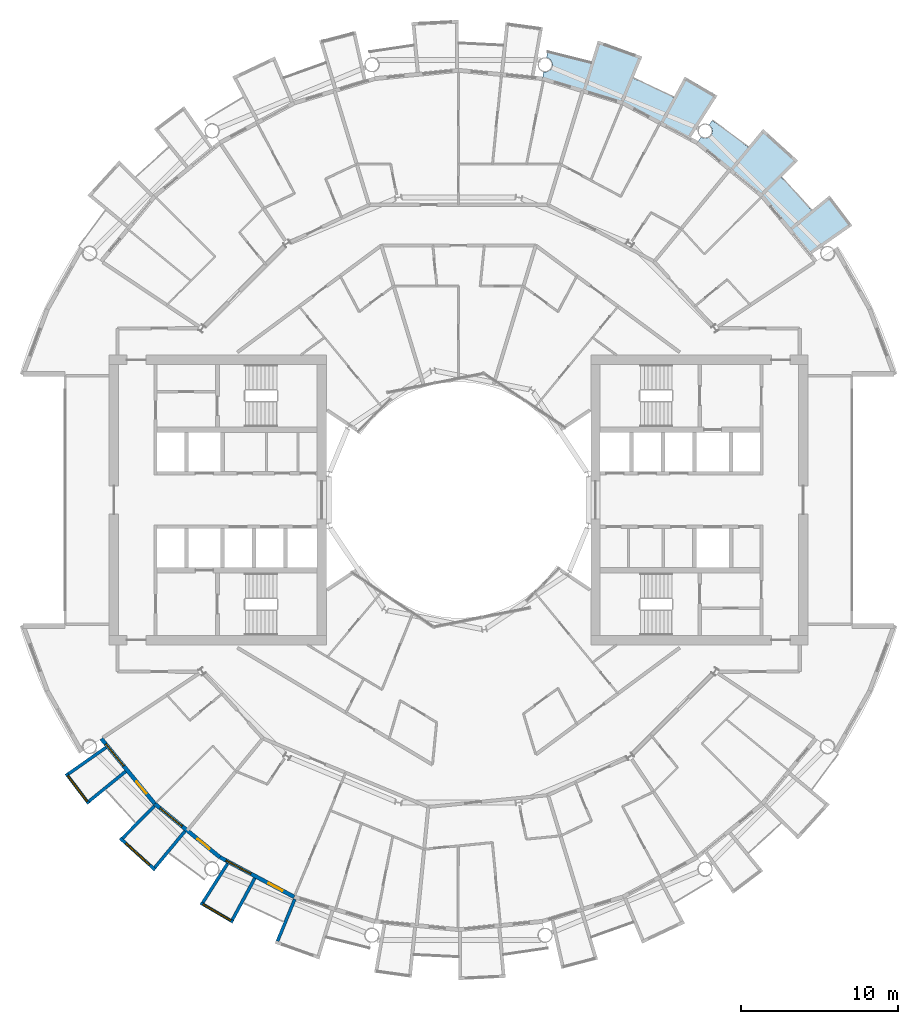
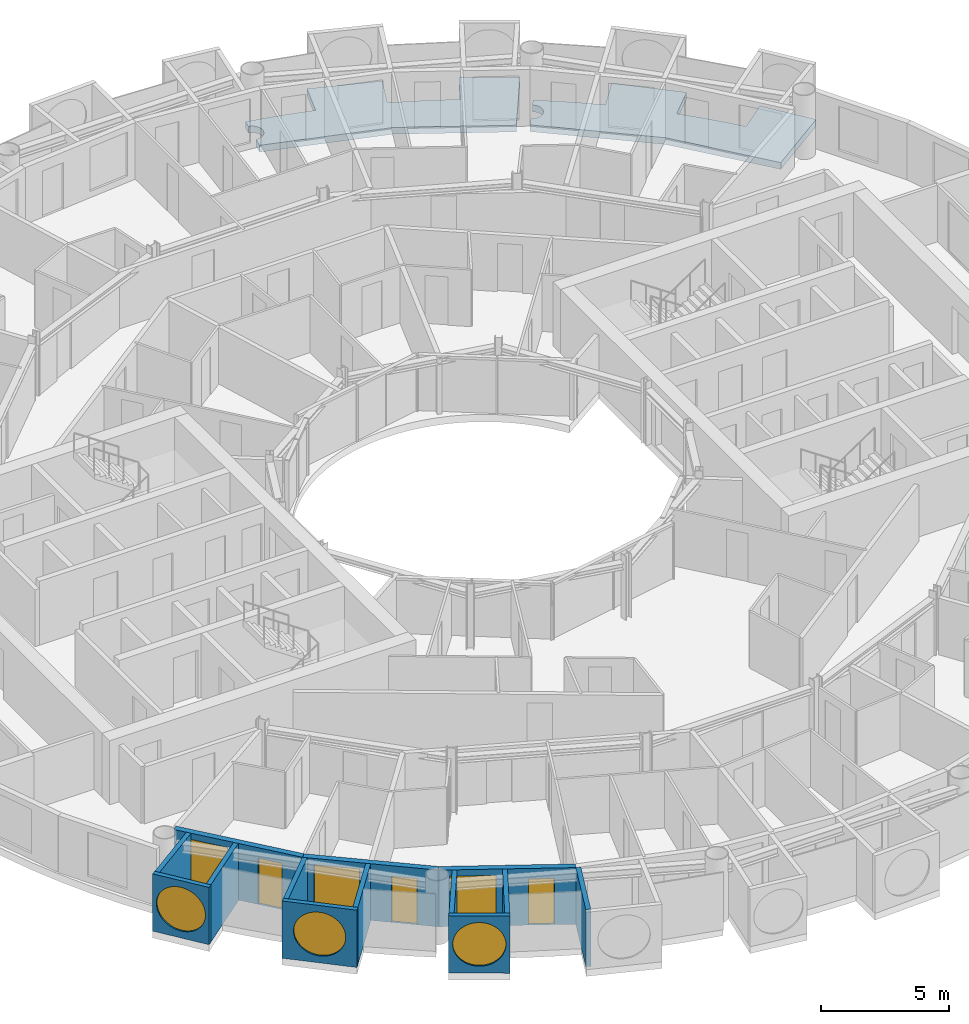
# One storey, part 13 of 27: 13 walls, 6 windows, 3 doors, 2 slabs, 9 openings.
"""IFC4 building model written with IfcOpenShell, lengths in metres."""

from ifc_helpers import new_model, si_unit, direction, frame, frame_2d, origin, place, context, subcontext, project, spatial, polyline, rectangle, circle, outline, extrude, material, layer, layer_set, type_object, element, fill, save


model = new_model("IFC4")

# Units and contexts
model_context = context("Model", 3, precision=1e-05, world=origin(), true_north=direction((0.0, 1.0)))
body_context = subcontext(model_context, "Body", "Model", "MODEL_VIEW")
ifc_project = project(units=[si_unit("LENGTHUNIT", "METRE"), si_unit("AREAUNIT", "SQUARE_METRE"), si_unit("VOLUMEUNIT", "CUBIC_METRE"), si_unit("PLANEANGLEUNIT", "RADIAN"), si_unit("MASSUNIT", "GRAM", prefix="KILO")], contexts=[model_context])

# Site, building, storey
site_placement = place(None, origin())
site = spatial("IfcSite", under=ifc_project, at=site_placement, CompositionType="ELEMENT")
building_placement = place(site_placement, origin())
building = spatial("IfcBuilding", under=site, at=building_placement, Name="Maasbend Ring Residences", CompositionType="ELEMENT")
storey_placement = place(building_placement, frame((0.0, 0.0, 117.75)))
storey = spatial("IfcBuildingStorey", under=building, at=storey_placement, Name="L33", CompositionType="ELEMENT", Elevation=117.75)

# Slabs
ifc_material_1 = material(Name="Concrete C40/50", Category="concrete")
ifc_layer_1 = layer(ifc_material_1, 0.199951171875)
ifc_layer_set_1 = layer_set([ifc_layer_1], Name="Concrete C40/50")
slab_type = type_object("IfcSlabType", Name="SL-LOGGIA", PredefinedType="FLOOR", material=ifc_layer_set_1)
slab_1_placement = place(storey_placement, frame((0.0, 0.0, -0.35009765625)))
element("IfcSlab", 1, at=slab_1_placement, inside=storey, type_object=slab_type, Name="Loggia floor 2", PredefinedType="FLOOR", context=body_context, shape_type="SweptSolid", body=[
    extrude(outline(polyline([(5.446044921875, 27.205078125), (5.45703125, 27.202880859375), (5.468017578125, 27.201904296875), (5.47900390625, 27.201904296875), (5.489990234375, 27.200927734375), (5.501953125, 27.200927734375), (5.512939453125, 27.200927734375), (5.52392578125, 27.201904296875), (5.534912109375, 27.201904296875), (5.5458984375, 27.202880859375), (5.556884765625, 27.205078125), (5.569091796875, 27.2060546875), (5.580078125, 27.2080078125), (5.591064453125, 27.2099609375), (5.60205078125, 27.2119140625), (5.613037109375, 27.215087890625), (5.623046875, 27.218017578125), (5.634033203125, 27.220947265625), (5.64501953125, 27.22412109375), (5.655029296875, 27.22802734375), (5.666015625, 27.23193359375), (5.676025390625, 27.236083984375), (5.68701171875, 27.239990234375), (5.697021484375, 27.2451171875), (5.70703125, 27.25), (5.717041015625, 27.2548828125), (5.72705078125, 27.260009765625), (5.736083984375, 27.26611328125), (5.74609375, 27.27197265625), (5.7548828125, 27.278076171875), (5.764892578125, 27.283935546875), (5.77392578125, 27.291015625), (5.782958984375, 27.298095703125), (5.791015625, 27.304931640625), (5.800048828125, 27.31201171875), (5.80810546875, 27.319091796875), (5.81689453125, 27.326904296875), (5.824951171875, 27.3349609375), (5.83203125, 27.343017578125), (5.840087890625, 27.35107421875), (5.847900390625, 27.360107421875), (5.85498046875, 27.367919921875), (5.862060546875, 27.376953125), (5.868896484375, 27.385986328125), (5.875, 27.39501953125), (5.881103515625, 27.404052734375), (5.887939453125, 27.4140625), (5.89306640625, 27.423095703125), (5.89892578125, 27.43310546875), (5.905029296875, 27.443115234375), (5.909912109375, 27.452880859375), (5.9150390625, 27.462890625), (5.9189453125, 27.472900390625), (5.924072265625, 27.48291015625), (5.927978515625, 27.493896484375), (5.931884765625, 27.50390625), (5.93505859375, 27.514892578125), (5.93896484375, 27.52490234375), (5.94189453125, 27.535888671875), (5.945068359375, 27.547119140625), (5.947021484375, 27.55810546875), (5.949951171875, 27.569091796875), (5.951904296875, 27.580078125), (5.9541015625, 27.591064453125), (5.955078125, 27.60205078125), (5.9560546875, 27.613037109375), (5.95703125, 27.6240234375), (5.9580078125, 27.635986328125), (5.9580078125, 27.64697265625), (5.9580078125, 27.657958984375), (5.9580078125, 27.6689453125), (5.9580078125, 27.680908203125), (5.95703125, 27.69189453125), (5.9560546875, 27.702880859375), (5.955078125, 27.714111328125), (5.9541015625, 27.72509765625), (5.951904296875, 27.736083984375), (5.949951171875, 27.7470703125), (5.947021484375, 27.758056640625), (5.945068359375, 27.76904296875), (5.94189453125, 27.780029296875), (5.93896484375, 27.791015625), (5.93505859375, 27.801025390625), (5.931884765625, 27.81201171875), (5.927978515625, 27.822998046875), (5.924072265625, 27.8330078125), (5.9189453125, 27.843017578125), (5.9150390625, 27.85302734375), (5.909912109375, 27.864013671875), (5.905029296875, 27.8740234375), (5.89892578125, 27.883056640625), (5.89306640625, 27.89306640625), (5.887939453125, 27.903076171875), (5.881103515625, 27.912109375), (5.875, 27.9208984375), (5.868896484375, 27.929931640625), (5.862060546875, 27.93896484375), (5.85498046875, 27.947998046875), (5.847900390625, 27.95703125), (5.840087890625, 27.965087890625), (5.83203125, 27.972900390625), (5.824951171875, 27.98095703125), (5.81689453125, 27.989013671875), (5.80810546875, 27.9970703125), (5.800048828125, 28.00390625), (5.791015625, 28.010986328125), (5.782958984375, 28.01806640625), (5.77392578125, 28.02490234375), (5.764892578125, 28.031982421875), (5.7548828125, 28.0380859375), (5.74609375, 28.0439453125), (5.736083984375, 28.050048828125), (5.72705078125, 28.055908203125), (5.717041015625, 28.06103515625), (5.70703125, 28.06591796875), (5.697021484375, 28.071044921875), (5.68701171875, 28.075927734375), (5.676025390625, 28.080078125), (5.666015625, 28.083984375), (5.655029296875, 28.087890625), (5.64501953125, 28.092041015625), (5.634033203125, 28.094970703125), (5.623046875, 28.09912109375), (5.613037109375, 28.10107421875), (5.60205078125, 28.10400390625), (5.591064453125, 28.10595703125), (5.657958984375, 28.443115234375), (5.657958984375, 28.443115234375), (5.657958984375, 28.443115234375), (6.5849609375, 28.241943359375), (6.5849609375, 28.241943359375), (7.506103515625, 28.011962890625), (7.506103515625, 28.011962890625), (8.41796875, 27.7509765625), (8.41796875, 27.7509765625), (8.41796875, 27.7509765625), (8.41796875, 27.7509765625), (8.41796875, 27.7509765625), (8.41796875, 27.7509765625), (8.41796875, 27.7509765625), (8.41796875, 27.7509765625), (8.41796875, 27.7509765625), (8.41796875, 27.7509765625), (8.41796875, 27.751953125), (8.41796875, 27.751953125), (8.41796875, 27.751953125), (8.41796875, 27.751953125), (8.41796875, 27.751953125), (8.41796875, 27.751953125), (8.41796875, 27.751953125), (8.85400390625, 29.18701171875), (8.85400390625, 29.18701171875), (8.85400390625, 29.18701171875), (11.672119140625, 28.177978515625), (11.672119140625, 28.177978515625), (11.672119140625, 28.177978515625), (11.097900390625, 26.79296875), (11.097900390625, 26.79296875), (11.097900390625, 26.79296875), (11.097900390625, 26.79296875), (11.097900390625, 26.79296875), (11.097900390625, 26.79296875), (11.097900390625, 26.79296875), (11.097900390625, 26.79296875), (11.097900390625, 26.79296875), (11.097900390625, 26.79296875), (11.097900390625, 26.7919921875), (11.097900390625, 26.7919921875), (11.097900390625, 26.7919921875), (11.097900390625, 26.7919921875), (11.097900390625, 26.7919921875), (11.097900390625, 26.7919921875), (11.097900390625, 26.7919921875), (11.968994140625, 26.4150390625), (11.968994140625, 26.4150390625), (12.825927734375, 26.009033203125), (12.825927734375, 26.009033203125), (13.669921875, 25.575927734375), (13.669921875, 25.575927734375), (13.669921875, 25.575927734375), (13.669921875, 25.575927734375), (13.669921875, 25.575927734375), (13.669921875, 25.575927734375), (13.669921875, 25.575927734375), (13.669921875, 25.575927734375), (13.669921875, 25.575927734375), (13.669921875, 25.575927734375), (13.6708984375, 25.575927734375), (13.6708984375, 25.575927734375), (13.6708984375, 25.575927734375), (13.6708984375, 25.575927734375), (13.6708984375, 25.575927734375), (13.6708984375, 25.575927734375), (13.6708984375, 25.575927734375), (14.3779296875, 26.89892578125), (14.3779296875, 26.89892578125), (14.3779296875, 26.89892578125), (16.44091796875, 25.68994140625), (16.44091796875, 25.68994140625), (16.44091796875, 25.68994140625), (14.68994140625, 22.9541015625), (14.68994140625, 22.9541015625), (14.68994140625, 22.9541015625), (12.806884765625, 23.9609375), (10.447021484375, 25.221923828125), (10.447021484375, 25.221923828125), (10.447021484375, 25.221923828125), (7.886962890625, 25.9990234375), (5.325927734375, 26.77490234375), (5.325927734375, 26.77490234375), (5.325927734375, 26.77490234375), (5.412109375, 27.2099609375), (5.423095703125, 27.2080078125), (5.43408203125, 27.2060546875), (5.446044921875, 27.205078125)])), origin(), (0.0, 0.0, 1.0), 0.320068359375),
])
slab_2_placement = place(storey_placement, frame((0.0, 0.0, -0.35009765625)))
element("IfcSlab", 2, at=slab_2_placement, inside=storey, type_object=slab_type, Name="Loggia floor 5", PredefinedType="FLOOR", context=body_context, shape_type="SweptSolid", body=[
    extrude(outline(polyline([(15.431884765625, 23.054931640625), (15.44189453125, 23.050048828125), (15.451904296875, 23.0439453125), (15.4619140625, 23.0390625), (15.471923828125, 23.033935546875), (15.48193359375, 23.030029296875), (15.491943359375, 23.02490234375), (15.5029296875, 23.02099609375), (15.512939453125, 23.01708984375), (15.52392578125, 23.012939453125), (15.533935546875, 23.010009765625), (15.544921875, 23.007080078125), (15.555908203125, 23.00390625), (15.56689453125, 23.001953125), (15.577880859375, 22.9990234375), (15.589111328125, 22.9970703125), (15.60009765625, 22.9951171875), (15.611083984375, 22.993896484375), (15.6220703125, 22.992919921875), (15.633056640625, 22.991943359375), (15.64501953125, 22.990966796875), (15.656005859375, 22.990966796875), (15.6669921875, 22.989990234375), (15.677978515625, 22.990966796875), (15.68994140625, 22.990966796875), (15.700927734375, 22.991943359375), (15.7119140625, 22.992919921875), (15.722900390625, 22.993896484375), (15.73388671875, 22.9951171875), (15.7451171875, 22.9970703125), (15.756103515625, 22.9990234375), (15.76708984375, 23.001953125), (15.778076171875, 23.00390625), (15.7890625, 23.007080078125), (15.800048828125, 23.010009765625), (15.81005859375, 23.012939453125), (15.821044921875, 23.01708984375), (15.83203125, 23.02099609375), (15.842041015625, 23.02490234375), (15.85205078125, 23.030029296875), (15.862060546875, 23.033935546875), (15.873046875, 23.0390625), (15.883056640625, 23.0439453125), (15.89208984375, 23.050048828125), (15.902099609375, 23.054931640625), (15.912109375, 23.06103515625), (15.9208984375, 23.06689453125), (15.929931640625, 23.073974609375), (15.93896484375, 23.080078125), (15.947998046875, 23.0869140625), (15.95703125, 23.093994140625), (15.966064453125, 23.10107421875), (15.97412109375, 23.10888671875), (15.98193359375, 23.115966796875), (15.989990234375, 23.1240234375), (15.998046875, 23.132080078125), (16.006103515625, 23.139892578125), (16.012939453125, 23.14892578125), (16.02001953125, 23.156982421875), (16.027099609375, 23.166015625), (16.033935546875, 23.175048828125), (16.041015625, 23.18408203125), (16.047119140625, 23.194091796875), (16.052978515625, 23.202880859375), (16.05908203125, 23.2119140625), (16.06494140625, 23.221923828125), (16.070068359375, 23.23193359375), (16.074951171875, 23.241943359375), (16.080078125, 23.251953125), (16.0849609375, 23.261962890625), (16.089111328125, 23.27294921875), (16.093017578125, 23.282958984375), (16.096923828125, 23.29296875), (16.10107421875, 23.303955078125), (16.10400390625, 23.31494140625), (16.10791015625, 23.325927734375), (16.110107421875, 23.3359375), (16.113037109375, 23.346923828125), (16.114990234375, 23.35791015625), (16.116943359375, 23.368896484375), (16.118896484375, 23.3798828125), (16.12109375, 23.39111328125), (16.1220703125, 23.403076171875), (16.123046875, 23.4140625), (16.1240234375, 23.425048828125), (16.1240234375, 23.43603515625), (16.1240234375, 23.447021484375), (16.1240234375, 23.458984375), (16.1240234375, 23.469970703125), (16.123046875, 23.48095703125), (16.1220703125, 23.491943359375), (16.12109375, 23.5029296875), (16.118896484375, 23.513916015625), (16.116943359375, 23.52587890625), (16.114990234375, 23.537109375), (16.113037109375, 23.548095703125), (16.110107421875, 23.55810546875), (16.10791015625, 23.569091796875), (16.10400390625, 23.580078125), (16.10107421875, 23.591064453125), (16.096923828125, 23.60107421875), (16.093017578125, 23.612060546875), (16.089111328125, 23.6220703125), (16.0849609375, 23.633056640625), (16.080078125, 23.64306640625), (16.074951171875, 23.653076171875), (16.070068359375, 23.6630859375), (16.06494140625, 23.673095703125), (16.05908203125, 23.681884765625), (16.052978515625, 23.69189453125), (16.047119140625, 23.700927734375), (16.041015625, 23.7109375), (16.033935546875, 23.719970703125), (16.027099609375, 23.72900390625), (16.02001953125, 23.737060546875), (16.012939453125, 23.74609375), (16.006103515625, 23.75390625), (15.998046875, 23.762939453125), (15.989990234375, 23.77099609375), (15.98193359375, 23.778076171875), (15.97412109375, 23.785888671875), (15.966064453125, 23.79296875), (15.95703125, 23.801025390625), (15.947998046875, 23.80810546875), (15.93896484375, 23.81396484375), (15.929931640625, 23.821044921875), (15.9208984375, 23.826904296875), (15.9208984375, 23.826904296875), (16.112060546875, 24.113037109375), (16.112060546875, 24.113037109375), (16.112060546875, 24.113037109375), (16.89208984375, 23.572998046875), (16.89208984375, 23.572998046875), (17.654052734375, 23.007080078125), (17.654052734375, 23.007080078125), (18.39697265625, 22.41796875), (18.39697265625, 22.41796875), (18.39697265625, 22.41796875), (18.39697265625, 22.41796875), (18.39697265625, 22.41796875), (18.39697265625, 22.41796875), (18.39697265625, 22.41796875), (18.39697265625, 22.41796875), (18.39697265625, 22.41796875), (18.39697265625, 22.41796875), (18.39697265625, 22.41796875), (18.39794921875, 22.41796875), (18.39794921875, 22.41796875), (18.39794921875, 22.41796875), (18.39794921875, 22.41796875), (18.39794921875, 22.41796875), (18.39794921875, 22.41796875), (19.34912109375, 23.576904296875), (19.34912109375, 23.576904296875), (19.34912109375, 23.576904296875), (21.56689453125, 21.56689453125), (21.56689453125, 21.56689453125), (21.56689453125, 21.56689453125), (20.506103515625, 20.506103515625), (20.506103515625, 20.506103515625), (20.506103515625, 20.506103515625), (20.506103515625, 20.506103515625), (20.506103515625, 20.506103515625), (20.506103515625, 20.506103515625), (20.506103515625, 20.506103515625), (20.506103515625, 20.506103515625), (20.506103515625, 20.506103515625), (20.506103515625, 20.506103515625), (20.506103515625, 20.506103515625), (20.506103515625, 20.506103515625), (20.506103515625, 20.506103515625), (20.506103515625, 20.506103515625), (20.506103515625, 20.506103515625), (20.506103515625, 20.506103515625), (20.506103515625, 20.506103515625), (21.166015625, 19.823974609375), (21.166015625, 19.823974609375), (21.802978515625, 19.12109375), (21.802978515625, 19.12109375), (22.4169921875, 18.39794921875), (22.4169921875, 18.39794921875), (22.4169921875, 18.39794921875), (22.4169921875, 18.39794921875), (22.4169921875, 18.39794921875), (22.4169921875, 18.39794921875), (22.4169921875, 18.39794921875), (22.4169921875, 18.39794921875), (22.4169921875, 18.39794921875), (22.4169921875, 18.39794921875), (22.4169921875, 18.39794921875), (22.4169921875, 18.39794921875), (22.41796875, 18.39794921875), (22.41796875, 18.39794921875), (22.41796875, 18.39794921875), (22.41796875, 18.39794921875), (22.41796875, 18.39794921875), (23.576904296875, 19.34912109375), (23.576904296875, 19.34912109375), (23.576904296875, 19.34912109375), (25.02001953125, 17.44189453125), (25.02001953125, 17.44189453125), (25.02001953125, 17.44189453125), (22.35595703125, 15.5849609375), (22.35595703125, 15.5849609375), (22.35595703125, 15.5849609375), (21.001953125, 17.236083984375), (19.303955078125, 19.303955078125), (19.303955078125, 19.303955078125), (19.303955078125, 19.303955078125), (17.236083984375, 21.001953125), (15.1669921875, 22.698974609375), (15.1669921875, 22.698974609375), (15.1669921875, 22.698974609375), (15.4130859375, 23.06689453125), (15.4130859375, 23.06689453125), (15.423095703125, 23.06103515625), (15.431884765625, 23.054931640625)])), origin(), (0.0, 0.0, 1.0), 0.320068359375),
])

# Wall, opening, window
ifc_material_2 = material(Name="Pale anodised aluminium panel", Category="aluminium")
ifc_layer_2 = layer(ifc_material_2, 0.199951171875)
ifc_layer_set_2 = layer_set([ifc_layer_2], Name="EW-BOX")
wall_type_1 = type_object("IfcWallType", Name="EW-BOX", PredefinedType="SOLIDWALL", material=ifc_layer_set_2)
wall_1_placement = place(storey_placement, frame((-24.93994140625, -17.382080078125, -0.030029296875), z_axis=(0.0, 0.0, 1.0), x_axis=(0.603375996329, -0.797456837111, 0.0)))
wall_1 = element("IfcWall", 3, at=wall_1_placement, inside=storey, type_object=wall_type_1, Name="Box front S01", PredefinedType="SOLIDWALL", context=body_context, shape_type="SweptSolid", body=[
    extrude(rectangle(XDim=2.391357421875, YDim=0.199951171875, at=frame_2d((1.19580078125, 0.0))), origin(), (0.0, 0.0, 1.0), 2.72998046875),
])
opening_1_placement = place(wall_1_placement, frame((0.15576171875, 0.0, 0.330078125)))
opening_1 = element("IfcOpeningElement", 4, at=opening_1_placement, cuts=wall_1, Name="Opening W-RD", PredefinedType="OPENING", context=body_context, shape_type="SweptSolid", body=[
    extrude(circle(Radius=1.0400390625, at=frame_2d((1.0400390625, 1.0400390625))), frame((0.0, 0.10986328125, 0.0), z_axis=(0.0, -1.0, 0.0), x_axis=(1.0, 0.0, 0.0)), (0.0, 0.0, 1.0), 0.219970703125),
])
ifc_material_3 = material(Name="Aluminium and clear glass", Category="aluminium")
window_type_1 = type_object("IfcWindowType", Name="W-RD", PartitioningType="SINGLE_PANEL", PredefinedType="WINDOW", material=ifc_material_3)
window_1_placement = place(opening_1_placement, origin())
window_1 = element("IfcWindow", 5, at=window_1_placement, inside=storey, type_object=window_type_1, Name="Round window S01", OverallHeight=2.080078125, OverallWidth=2.080078125, PartitioningType="SINGLE_PANEL", PredefinedType="WINDOW", context=body_context, shape_type="SweptSolid", body=[
    extrude(circle(Radius=1.0400390625, at=frame_2d((1.0400390625, 1.0400390625))), frame((0.0, 0.030029296875, 0.0), z_axis=(0.0, -1.0, 0.0), x_axis=(1.0, 0.0, 0.0)), (0.0, 0.0, 1.0), 0.06005859375),
])
fill(opening_1, window_1)

# Walls
wall_2_placement = place(storey_placement, frame((-22.402099609375, -15.72607421875, -0.030029296875), z_axis=(0.0, 0.0, 1.0), x_axis=(-0.818275399393, -0.574826383135, 0.0)))
element("IfcWall", 6, at=wall_2_placement, inside=storey, type_object=wall_type_1, Name="Box side wall S01 left", PredefinedType="SOLIDWALL", context=body_context, shape_type="SweptSolid", body=[
    extrude(rectangle(XDim=2.92919921875, YDim=0.199951171875, at=frame_2d((1.464599609375, 0.0))), origin(), (0.0, 0.0, 1.0), 2.72998046875),
])
wall_3_placement = place(storey_placement, frame((-21.155029296875, -17.24609375, -0.030029296875), z_axis=(0.0, 0.0, 1.0), x_axis=(-0.775179004516, -0.631741648902, 0.0)))
element("IfcWall", 7, at=wall_3_placement, inside=storey, type_object=wall_type_1, Name="Box side wall S01 right", PredefinedType="SOLIDWALL", context=body_context, shape_type="SweptSolid", body=[
    extrude(rectangle(XDim=3.005859375, YDim=0.199951171875, at=frame_2d((1.5029296875, 0.0))), origin(), (0.0, 0.0, 1.0), 2.72998046875),
])

# Wall, opening, window
wall_4_placement = place(storey_placement, frame((-21.5, -21.492919921875, -0.030029296875), z_axis=(0.0, 0.0, 1.0), x_axis=(0.740998365753, -0.671506829416, 0.0)))
wall_4 = element("IfcWall", 8, at=wall_4_placement, inside=storey, type_object=wall_type_1, Name="Box front S03", PredefinedType="SOLIDWALL", context=body_context, shape_type="SweptSolid", body=[
    extrude(rectangle(XDim=2.9931640625, YDim=0.199951171875, at=frame_2d((1.49658203125, 0.0))), origin(), (0.0, 0.0, 1.0), 2.72998046875),
])
opening_2_placement = place(wall_4_placement, frame((0.45654296875, 0.0, 0.330078125)))
opening_2 = element("IfcOpeningElement", 9, at=opening_2_placement, cuts=wall_4, Name="Opening W-RD", PredefinedType="OPENING", context=body_context, shape_type="SweptSolid", body=[
    extrude(circle(Radius=1.0400390625, at=frame_2d((1.0400390625, 1.0400390625))), frame((0.0, 0.10986328125, 0.0), z_axis=(0.0, -1.0, 0.0), x_axis=(1.0, 0.0, 0.0)), (0.0, 0.0, 1.0), 0.219970703125),
])
window_2_placement = place(opening_2_placement, origin())
window_2 = element("IfcWindow", 10, at=window_2_placement, inside=storey, type_object=window_type_1, Name="Round window S03", OverallHeight=2.080078125, OverallWidth=2.080078125, PartitioningType="SINGLE_PANEL", PredefinedType="WINDOW", context=body_context, shape_type="SweptSolid", body=[
    extrude(circle(Radius=1.0400390625, at=frame_2d((1.0400390625, 1.0400390625))), frame((0.0, 0.030029296875, 0.0), z_axis=(0.0, -1.0, 0.0), x_axis=(1.0, 0.0, 0.0)), (0.0, 0.0, 1.0), 0.06005859375),
])
fill(opening_2, window_2)

# Walls
wall_5_placement = place(storey_placement, frame((-19.322998046875, -19.449951171875, -0.030029296875), z_axis=(0.0, 0.0, 1.0), x_axis=(-0.704476739375, -0.709727076896, 0.0)))
element("IfcWall", 11, at=wall_5_placement, inside=storey, type_object=wall_type_1, Name="Box side wall S03 left", PredefinedType="SOLIDWALL", context=body_context, shape_type="SweptSolid", body=[
    extrude(rectangle(XDim=2.883056640625, YDim=0.199951171875, at=frame_2d((1.44140625, 0.0))), origin(), (0.0, 0.0, 1.0), 2.72998046875),
])
wall_6_placement = place(storey_placement, frame((-17.384033203125, -21.041015625, -0.030029296875), z_axis=(0.0, 0.0, 1.0), x_axis=(-0.63709551667, -0.770784861449, 0.0)))
element("IfcWall", 12, at=wall_6_placement, inside=storey, type_object=wall_type_1, Name="Box side wall S03 right", PredefinedType="SOLIDWALL", context=body_context, shape_type="SweptSolid", body=[
    extrude(rectangle(XDim=3.005859375, YDim=0.199951171875, at=frame_2d((1.5029296875, 0.0))), origin(), (0.0, 0.0, 1.0), 2.72998046875),
])

# Wall, opening, window
wall_7_placement = place(storey_placement, frame((-16.389892578125, -25.60302734375, -0.030029296875), z_axis=(0.0, 0.0, 1.0), x_axis=(0.862762477128, -0.505609442218, 0.0)))
wall_7 = element("IfcWall", 13, at=wall_7_placement, inside=storey, type_object=wall_type_1, Name="Box front S05", PredefinedType="SOLIDWALL", context=body_context, shape_type="SweptSolid", body=[
    extrude(rectangle(XDim=2.39111328125, YDim=0.199951171875, at=frame_2d((1.195556640625, 0.0))), origin(), (0.0, 0.0, 1.0), 2.72998046875),
])
opening_3_placement = place(wall_7_placement, frame((0.15576171875, 0.0, 0.330078125)))
opening_3 = element("IfcOpeningElement", 14, at=opening_3_placement, cuts=wall_7, Name="Opening W-RD", PredefinedType="OPENING", context=body_context, shape_type="SweptSolid", body=[
    extrude(circle(Radius=1.0400390625, at=frame_2d((1.0400390625, 1.0400390625))), frame((0.0, 0.10986328125, 0.0), z_axis=(0.0, -1.0, 0.0), x_axis=(1.0, 0.0, 0.0)), (0.0, 0.0, 1.0), 0.219970703125),
])
window_3_placement = place(opening_3_placement, origin())
window_3 = element("IfcWindow", 15, at=window_3_placement, inside=storey, type_object=window_type_1, Name="Round window S05", OverallHeight=2.080078125, OverallWidth=2.080078125, PartitioningType="SINGLE_PANEL", PredefinedType="WINDOW", context=body_context, shape_type="SweptSolid", body=[
    extrude(circle(Radius=1.0400390625, at=frame_2d((1.0400390625, 1.0400390625))), frame((0.0, 0.030029296875, 0.0), z_axis=(0.0, -1.0, 0.0), x_axis=(1.0, 0.0, 0.0)), (0.0, 0.0, 1.0), 0.06005859375),
])
fill(opening_3, window_3)

# Walls
wall_8_placement = place(storey_placement, frame((-14.677978515625, -23.10205078125, -0.030029296875), z_axis=(0.0, 0.0, 1.0), x_axis=(-0.536001536573, -0.844217005746, 0.0)))
element("IfcWall", 16, at=wall_8_placement, inside=storey, type_object=wall_type_1, Name="Box side wall S05 left", PredefinedType="SOLIDWALL", context=body_context, shape_type="SweptSolid", body=[
    extrude(rectangle(XDim=2.92919921875, YDim=0.199951171875, at=frame_2d((1.464599609375, 0.0))), origin(), (0.0, 0.0, 1.0), 2.72998046875),
])
wall_9_placement = place(storey_placement, frame((-12.945068359375, -24.029052734375, -0.030029296875), z_axis=(0.0, 0.0, 1.0), x_axis=(-0.474424310775, -0.88029629861, 0.0)))
element("IfcWall", 17, at=wall_9_placement, inside=storey, type_object=wall_type_1, Name="Box side wall S05 right", PredefinedType="SOLIDWALL", context=body_context, shape_type="SweptSolid", body=[
    extrude(rectangle(XDim=3.005859375, YDim=0.199951171875, at=frame_2d((1.5029296875, 0.0))), origin(), (0.0, 0.0, 1.0), 2.72998046875),
])
wall_10_placement = place(storey_placement, frame((-10.408935546875, -25.364013671875, -0.030029296875), z_axis=(0.0, 0.0, 1.0), x_axis=(-0.379509886562, -0.925187681501, 0.0)))
element("IfcWall", 18, at=wall_10_placement, inside=storey, type_object=wall_type_1, Name="Box side wall S07 left", PredefinedType="SOLIDWALL", context=body_context, shape_type="SweptSolid", body=[
    extrude(rectangle(XDim=2.882568359375, YDim=0.199951171875, at=frame_2d((1.44140625, 0.0))), origin(), (0.0, 0.0, 1.0), 2.72998046875),
])

# Wall, openings, door, window
ifc_material_4 = material(Name="Aluminium clad insulated panel", Category="aluminium")
ifc_layer_3 = layer(ifc_material_4, 0.25)
ifc_layer_set_3 = layer_set([ifc_layer_3], Name="EW-GL")
wall_type_2 = type_object("IfcWallType", Name="EW-GL", PredefinedType="SOLIDWALL", material=ifc_layer_set_3)
wall_11_placement = place(storey_placement, frame((-22.698974609375, -15.1669921875, 0.0), z_axis=(0.0, 0.0, 1.0), x_axis=(0.634382322723, -0.773019449054, 0.0)))
wall_11 = element("IfcWall", 19, at=wall_11_placement, inside=storey, type_object=wall_type_2, Name="External wall S01", PredefinedType="SOLIDWALL", context=body_context, shape_type="SweptSolid", body=[
    extrude(rectangle(XDim=5.351806640625, YDim=0.25, at=frame_2d((2.67578125, 0.0))), origin(), (0.0, 0.0, 1.0), 2.699951171875),
])
opening_4_placement = place(wall_11_placement, frame((0.441162109375, 0.0, 0.300048828125)))
opening_4 = element("IfcOpeningElement", 20, at=opening_4_placement, cuts=wall_11, Name="Opening W-BX", PredefinedType="OPENING", context=body_context, shape_type="SweptSolid", body=[
    extrude(rectangle(XDim=1.800048828125, YDim=2.10009765625, at=frame_2d((0.89990234375, 1.050048828125))), frame((0.0, 0.135009765625, 0.0), z_axis=(0.0, -1.0, 0.0), x_axis=(1.0, 0.0, 0.0)), (0.0, 0.0, 1.0), 0.27001953125),
])
opening_5_placement = place(wall_11_placement, frame((3.510498046875, 0.0, 0.0)))
opening_5 = element("IfcOpeningElement", 21, at=opening_5_placement, cuts=wall_11, Name="Opening D-LG", PredefinedType="OPENING", context=body_context, shape_type="SweptSolid", body=[
    extrude(rectangle(XDim=1.0, YDim=2.199951171875, at=frame_2d((0.5, 1.10009765625))), frame((0.0, 0.135009765625, 0.0), z_axis=(0.0, -1.0, 0.0), x_axis=(1.0, 0.0, 0.0)), (0.0, 0.0, 1.0), 0.27001953125),
])
ifc_material_5 = material(Name="Aluminium and clear glass", Category="aluminium")
door_type = type_object("IfcDoorType", Name="D-LG", OperationType="SINGLE_SWING_LEFT", PredefinedType="DOOR", material=ifc_material_5)
door_1_placement = place(opening_5_placement, origin())
door_1 = element("IfcDoor", 22, at=door_1_placement, inside=storey, type_object=door_type, Name="Loggia door S02", OperationType="SINGLE_SWING_LEFT", OverallHeight=2.199951171875, OverallWidth=1.0, PredefinedType="DOOR", context=body_context, shape_type="SweptSolid", body=[
    extrude(rectangle(XDim=1.0, YDim=2.199951171875, at=frame_2d((0.5, 1.10009765625))), frame((0.0, 0.02490234375, 0.0), z_axis=(0.0, -1.0, 0.0), x_axis=(1.0, 0.0, 0.0)), (0.0, 0.0, 1.0), 0.050048828125),
])
fill(opening_5, door_1)
ifc_material_6 = material(Name="Aluminium and clear glass", Category="aluminium")
window_type_2 = type_object("IfcWindowType", Name="W-BX", PartitioningType="DOUBLE_PANEL_VERTICAL", PredefinedType="WINDOW", material=ifc_material_6)
window_4_placement = place(opening_4_placement, origin())
window_4 = element("IfcWindow", 23, at=window_4_placement, inside=storey, type_object=window_type_2, Name="Window S01 room to box", OverallHeight=2.10009765625, OverallWidth=1.800048828125, PartitioningType="SINGLE_PANEL", PredefinedType="WINDOW", context=body_context, shape_type="SweptSolid", body=[
    extrude(rectangle(XDim=1.800048828125, YDim=2.10009765625, at=frame_2d((0.89990234375, 1.050048828125))), frame((0.0, 0.030029296875, 0.0), z_axis=(0.0, -1.0, 0.0), x_axis=(1.0, 0.0, 0.0)), (0.0, 0.0, 1.0), 0.06005859375),
])
fill(opening_4, window_4)

wall_12_placement = place(storey_placement, frame((-19.303955078125, -19.303955078125, 0.0), z_axis=(0.0, 0.0, 1.0), x_axis=(0.773019449054, -0.634382322723, 0.0)))
wall_12 = element("IfcWall", 24, at=wall_12_placement, inside=storey, type_object=wall_type_2, Name="External wall S02", PredefinedType="SOLIDWALL", context=body_context, shape_type="SweptSolid", body=[
    extrude(rectangle(XDim=5.351806640625, YDim=0.25, at=frame_2d((2.67578125, 0.0))), origin(), (0.0, 0.0, 1.0), 2.699951171875),
])
opening_6_placement = place(wall_12_placement, frame((0.441162109375, 0.0, 0.300048828125)))
opening_6 = element("IfcOpeningElement", 25, at=opening_6_placement, cuts=wall_12, Name="Opening W-BX", PredefinedType="OPENING", context=body_context, shape_type="SweptSolid", body=[
    extrude(rectangle(XDim=1.800048828125, YDim=2.10009765625, at=frame_2d((0.89990234375, 1.050048828125))), frame((0.0, 0.135009765625, 0.0), z_axis=(0.0, -1.0, 0.0), x_axis=(1.0, 0.0, 0.0)), (0.0, 0.0, 1.0), 0.27001953125),
])
opening_7_placement = place(wall_12_placement, frame((3.510498046875, 0.0, 0.0)))
opening_7 = element("IfcOpeningElement", 26, at=opening_7_placement, cuts=wall_12, Name="Opening D-LG", PredefinedType="OPENING", context=body_context, shape_type="SweptSolid", body=[
    extrude(rectangle(XDim=1.0, YDim=2.199951171875, at=frame_2d((0.5, 1.10009765625))), frame((0.0, 0.135009765625, 0.0), z_axis=(0.0, -1.0, 0.0), x_axis=(1.0, 0.0, 0.0)), (0.0, 0.0, 1.0), 0.27001953125),
])
door_2_placement = place(opening_7_placement, origin())
door_2 = element("IfcDoor", 27, at=door_2_placement, inside=storey, type_object=door_type, Name="Loggia door S04", OperationType="SINGLE_SWING_LEFT", OverallHeight=2.199951171875, OverallWidth=1.0, PredefinedType="DOOR", context=body_context, shape_type="SweptSolid", body=[
    extrude(rectangle(XDim=1.0, YDim=2.199951171875, at=frame_2d((0.5, 1.10009765625))), frame((0.0, 0.02490234375, 0.0), z_axis=(0.0, -1.0, 0.0), x_axis=(1.0, 0.0, 0.0)), (0.0, 0.0, 1.0), 0.050048828125),
])
fill(opening_7, door_2)
window_5_placement = place(opening_6_placement, origin())
window_5 = element("IfcWindow", 28, at=window_5_placement, inside=storey, type_object=window_type_2, Name="Window S03 room to box", OverallHeight=2.10009765625, OverallWidth=1.800048828125, PartitioningType="SINGLE_PANEL", PredefinedType="WINDOW", context=body_context, shape_type="SweptSolid", body=[
    extrude(rectangle(XDim=1.800048828125, YDim=2.10009765625, at=frame_2d((0.89990234375, 1.050048828125))), frame((0.0, 0.030029296875, 0.0), z_axis=(0.0, -1.0, 0.0), x_axis=(1.0, 0.0, 0.0)), (0.0, 0.0, 1.0), 0.06005859375),
])
fill(opening_6, window_5)

wall_13_placement = place(storey_placement, frame((-15.1669921875, -22.698974609375, 0.0), z_axis=(0.0, 0.0, 1.0), x_axis=(0.881915646801, -0.471407246368, 0.0)))
wall_13 = element("IfcWall", 29, at=wall_13_placement, inside=storey, type_object=wall_type_2, Name="External wall S03", PredefinedType="SOLIDWALL", context=body_context, shape_type="SweptSolid", body=[
    extrude(rectangle(XDim=5.35205078125, YDim=0.25, at=frame_2d((2.676025390625, 0.0))), origin(), (0.0, 0.0, 1.0), 2.699951171875),
])
opening_8_placement = place(wall_13_placement, frame((0.441162109375, 0.0, 0.300048828125)))
opening_8 = element("IfcOpeningElement", 30, at=opening_8_placement, cuts=wall_13, Name="Opening W-BX", PredefinedType="OPENING", context=body_context, shape_type="SweptSolid", body=[
    extrude(rectangle(XDim=1.800048828125, YDim=2.10009765625, at=frame_2d((0.89990234375, 1.050048828125))), frame((0.0, 0.135009765625, 0.0), z_axis=(0.0, -1.0, 0.0), x_axis=(1.0, 0.0, 0.0)), (0.0, 0.0, 1.0), 0.27001953125),
])
opening_9_placement = place(wall_13_placement, frame((3.510498046875, 0.0, 0.0)))
opening_9 = element("IfcOpeningElement", 31, at=opening_9_placement, cuts=wall_13, Name="Opening D-LG", PredefinedType="OPENING", context=body_context, shape_type="SweptSolid", body=[
    extrude(rectangle(XDim=1.0, YDim=2.199951171875, at=frame_2d((0.5, 1.10009765625))), frame((0.0, 0.135009765625, 0.0), z_axis=(0.0, -1.0, 0.0), x_axis=(1.0, 0.0, 0.0)), (0.0, 0.0, 1.0), 0.27001953125),
])
door_3_placement = place(opening_9_placement, origin())
door_3 = element("IfcDoor", 32, at=door_3_placement, inside=storey, type_object=door_type, Name="Loggia door S06", OperationType="SINGLE_SWING_LEFT", OverallHeight=2.199951171875, OverallWidth=1.0, PredefinedType="DOOR", context=body_context, shape_type="SweptSolid", body=[
    extrude(rectangle(XDim=1.0, YDim=2.199951171875, at=frame_2d((0.5, 1.10009765625))), frame((0.0, 0.02490234375, 0.0), z_axis=(0.0, -1.0, 0.0), x_axis=(1.0, 0.0, 0.0)), (0.0, 0.0, 1.0), 0.050048828125),
])
fill(opening_9, door_3)
window_6_placement = place(opening_8_placement, origin())
window_6 = element("IfcWindow", 33, at=window_6_placement, inside=storey, type_object=window_type_2, Name="Window S05 room to box", OverallHeight=2.10009765625, OverallWidth=1.800048828125, PartitioningType="SINGLE_PANEL", PredefinedType="WINDOW", context=body_context, shape_type="SweptSolid", body=[
    extrude(rectangle(XDim=1.800048828125, YDim=2.10009765625, at=frame_2d((0.89990234375, 1.050048828125))), frame((0.0, 0.030029296875, 0.0), z_axis=(0.0, -1.0, 0.0), x_axis=(1.0, 0.0, 0.0)), (0.0, 0.0, 1.0), 0.06005859375),
])
fill(opening_8, window_6)

save(model, "model.ifc")
